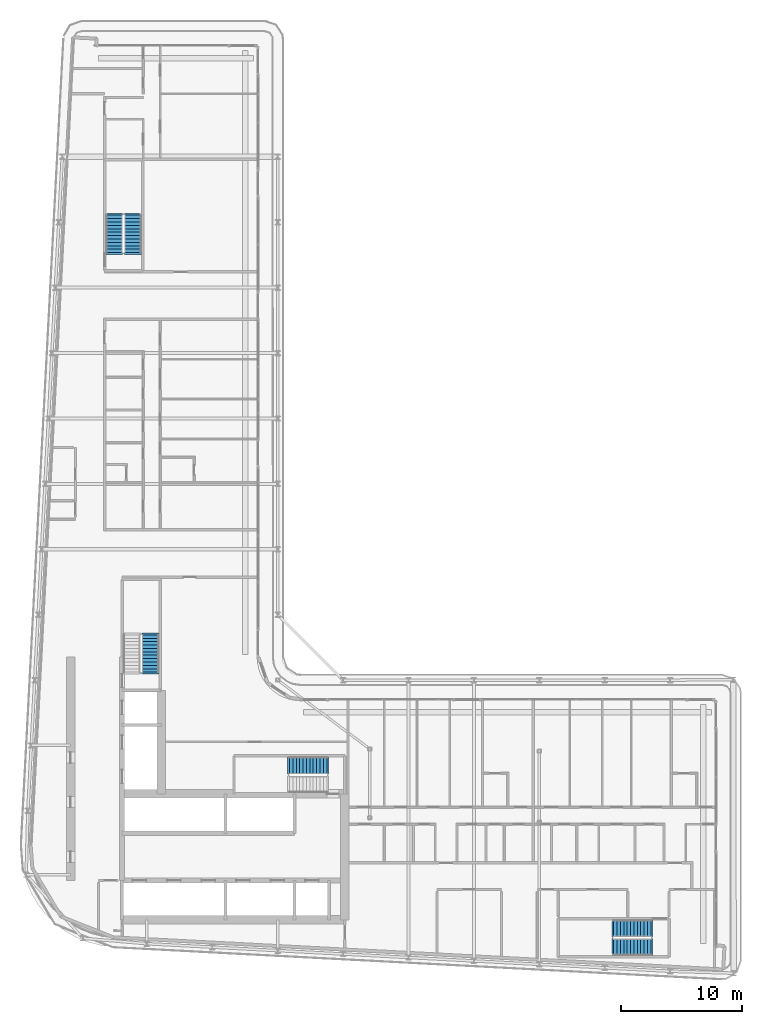
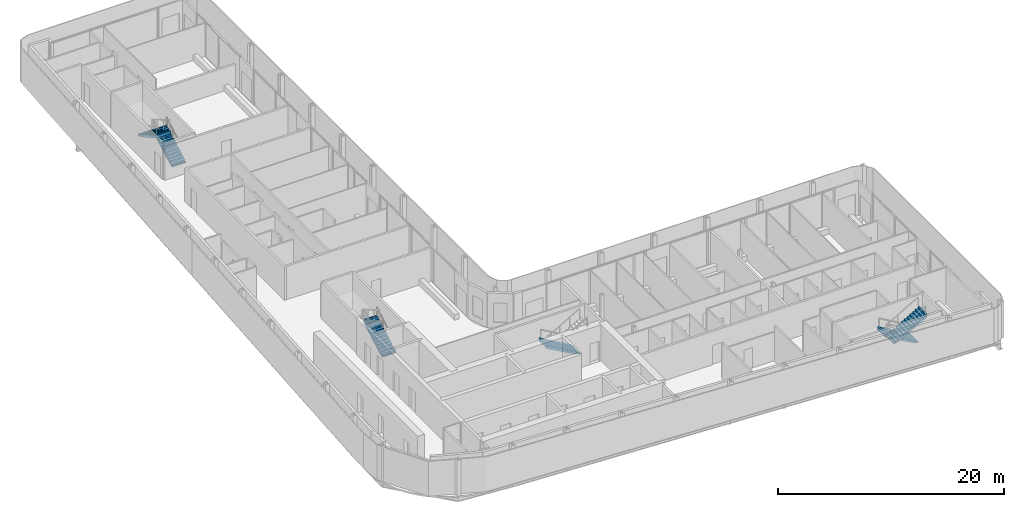
# One storey, part 16 of 23: 6 stair flights, 4 elements without a shape of their own.
"""IFC4 building model written with IfcOpenShell, lengths in metres."""

from ifc_helpers import new_model, si_unit, direction, frame, origin, place, context, subcontext, project, spatial, polyline, outline, extrude, material, layer, layer_set, type_object, element, aggregate, save


model = new_model("IFC4")

# Units and contexts
model_context = context("Model", 3, precision=1e-05, world=origin(), true_north=direction((0.0, 1.0)))
body_context = subcontext(model_context, "Body", "Model", "MODEL_VIEW")
ifc_project = project(units=[si_unit("LENGTHUNIT", "METRE"), si_unit("AREAUNIT", "SQUARE_METRE"), si_unit("VOLUMEUNIT", "CUBIC_METRE"), si_unit("PLANEANGLEUNIT", "RADIAN"), si_unit("MASSUNIT", "GRAM", prefix="KILO")], contexts=[model_context])

# Site, building, storey
site_placement = place(None, origin())
site = spatial("IfcSite", under=ifc_project, at=site_placement, CompositionType="ELEMENT")
building_placement = place(site_placement, origin())
building = spatial("IfcBuilding", under=site, at=building_placement, Name="Kheshtan School and Residences Tower", CompositionType="ELEMENT")
storey_placement = place(building_placement, frame((0.0, 0.0, 239.60009765625)))
storey = spatial("IfcBuildingStorey", under=building, at=storey_placement, Name="L56", CompositionType="ELEMENT", Elevation=239.60009765625)

# Stair, stair flight
ifc_material = material(Name="Concrete C40/50", Category="concrete")
stair_type = type_object("IfcStairType", Name="Exit stair, half-turn", PredefinedType="HALF_TURN_STAIR", material=ifc_material)
stair_1_placement = place(storey_placement, origin())
stair_1 = element("IfcStair", 1, at=stair_1_placement, inside=storey, type_object=stair_type, Name="L56 Protected Exit Stair ST1", PredefinedType="HALF_TURN_STAIR")
ifc_layer = layer(ifc_material, 0.14990234375)
ifc_layer_set = layer_set([ifc_layer], Name="Stair flight 1400 Concrete C40/50")
stair_flight_type = type_object("IfcStairFlightType", Name="Stair flight 1400 Concrete C40/50", PredefinedType="STRAIGHT", material=ifc_layer_set)
stair_flight_1_placement = place(storey_placement, frame((51.64990234375, 38.550048828125, 0.0), z_axis=(0.0, 0.0, 1.0), x_axis=(-1.0, 0.0, 0.0)))
stair_flight_1 = element("IfcStairFlight", 2, at=stair_flight_1_placement, type_object=stair_flight_type, Name="ST1 flight 1", NumberOfRisers=12, NumberOfTreads=11, PredefinedType="STRAIGHT", RiserHeight=0.1625, TreadLength=0.28, context=body_context, shape_type="SweptSolid", body=[
    extrude(outline(polyline([(-0.14990234375, -0.10009765625), (-0.14990234375, 0.0), (0.0, 0.0), (0.0, 0.16259765625), (0.280029296875, 0.16259765625), (0.280029296875, 0.324951171875), (0.56005859375, 0.324951171875), (0.56005859375, 0.487548828125), (0.840087890625, 0.487548828125), (0.840087890625, 0.64990234375), (1.1201171875, 0.64990234375), (1.1201171875, 0.8125), (1.39990234375, 0.8125), (1.39990234375, 0.97509765625), (1.679931640625, 0.97509765625), (1.679931640625, 1.137451171875), (1.9599609375, 1.137451171875), (1.9599609375, 1.300048828125), (2.239990234375, 1.300048828125), (2.239990234375, 1.46240234375), (2.52001953125, 1.46240234375), (2.52001953125, 1.625), (2.800048828125, 1.625), (2.800048828125, 1.78759765625), (3.080078125, 1.78759765625), (3.080078125, 1.949951171875), (3.080078125, 1.969970703125), (3.22998046875, 1.969970703125), (3.22998046875, 1.6142578125), (0.298583984375, 0.0), (-0.14990234375, -0.10009765625)])), frame((0.0, 0.699951171875, 0.0), z_axis=(0.0, -1.0, 0.0), x_axis=(1.0, 0.0, 0.0)), (0.0, 0.0, 1.0), 1.39990234375),
])
aggregate(stair_1, [stair_flight_1])

stair_2_placement = place(storey_placement, origin())
stair_2 = element("IfcStair", 3, at=stair_2_placement, inside=storey, type_object=stair_type, Name="L56 Protected Exit Stair ST2", PredefinedType="HALF_TURN_STAIR")
stair_flight_2_placement = place(storey_placement, frame((37.10009765625, 46.25, 0.0), z_axis=(0.0, 0.0, 1.0), x_axis=(0.0, 1.0, 0.0)))
stair_flight_2 = element("IfcStairFlight", 4, at=stair_flight_2_placement, type_object=stair_flight_type, Name="ST2 flight 1", NumberOfRisers=12, NumberOfTreads=11, PredefinedType="STRAIGHT", RiserHeight=0.1625, TreadLength=0.28, context=body_context, shape_type="SweptSolid", body=[
    extrude(outline(polyline([(-0.14990234375, -0.10009765625), (-0.14990234375, 0.0), (0.0, 0.0), (0.0, 0.16259765625), (0.280029296875, 0.16259765625), (0.280029296875, 0.324951171875), (0.56005859375, 0.324951171875), (0.56005859375, 0.487548828125), (0.840087890625, 0.487548828125), (0.840087890625, 0.64990234375), (1.1201171875, 0.64990234375), (1.1201171875, 0.8125), (1.39990234375, 0.8125), (1.39990234375, 0.97509765625), (1.679931640625, 0.97509765625), (1.679931640625, 1.137451171875), (1.9599609375, 1.137451171875), (1.9599609375, 1.300048828125), (2.239990234375, 1.300048828125), (2.239990234375, 1.46240234375), (2.52001953125, 1.46240234375), (2.52001953125, 1.625), (2.800048828125, 1.625), (2.800048828125, 1.78759765625), (3.080078125, 1.78759765625), (3.080078125, 1.949951171875), (3.080078125, 1.969970703125), (3.22998046875, 1.969970703125), (3.22998046875, 1.6142578125), (0.298583984375, 0.0), (-0.14990234375, -0.10009765625)])), frame((0.0, 0.699951171875, 0.0), z_axis=(0.0, -1.0, 0.0), x_axis=(1.0, 0.0, 0.0)), (0.0, 0.0, 1.0), 1.39990234375),
])
aggregate(stair_2, [stair_flight_2])

# Stair, stair flights
stair_3_placement = place(storey_placement, origin())
stair_3 = element("IfcStair", 5, at=stair_3_placement, inside=storey, type_object=stair_type, Name="L56 Protected Exit Stair ST3", PredefinedType="HALF_TURN_STAIR")
stair_flight_3_placement = place(storey_placement, frame((35.64990234375, 80.89990234375, 0.0), z_axis=(0.0, 0.0, 1.0), x_axis=(0.0, 1.0, 0.0)))
stair_flight_3 = element("IfcStairFlight", 6, at=stair_flight_3_placement, type_object=stair_flight_type, Name="ST3 flight 1", NumberOfRisers=12, NumberOfTreads=11, PredefinedType="STRAIGHT", RiserHeight=0.1625, TreadLength=0.28, context=body_context, shape_type="SweptSolid", body=[
    extrude(outline(polyline([(-0.14990234375, -0.10009765625), (-0.14990234375, 0.0), (0.0, 0.0), (0.0, 0.16259765625), (0.280029296875, 0.16259765625), (0.280029296875, 0.324951171875), (0.56005859375, 0.324951171875), (0.56005859375, 0.487548828125), (0.840087890625, 0.487548828125), (0.840087890625, 0.64990234375), (1.1201171875, 0.64990234375), (1.1201171875, 0.8125), (1.39990234375, 0.8125), (1.39990234375, 0.97509765625), (1.679931640625, 0.97509765625), (1.679931640625, 1.137451171875), (1.9599609375, 1.137451171875), (1.9599609375, 1.300048828125), (2.239990234375, 1.300048828125), (2.239990234375, 1.46240234375), (2.52001953125, 1.46240234375), (2.52001953125, 1.625), (2.800048828125, 1.625), (2.800048828125, 1.78759765625), (3.080078125, 1.78759765625), (3.080078125, 1.949951171875), (3.080078125, 1.969970703125), (3.22998046875, 1.969970703125), (3.22998046875, 1.6142578125), (0.298583984375, 0.0), (-0.14990234375, -0.10009765625)])), frame((0.0, 0.699951171875, 0.0), z_axis=(0.0, -1.0, 0.0), x_axis=(1.0, 0.0, 0.0)), (0.0, 0.0, 1.0), 1.39990234375),
])
stair_flight_4_placement = place(storey_placement, frame((34.10009765625, 83.97998046875, 1.949951171875), z_axis=(0.0, 0.0, 1.0), x_axis=(0.0, -1.0, 0.0)))
stair_flight_4 = element("IfcStairFlight", 7, at=stair_flight_4_placement, type_object=stair_flight_type, Name="ST3 flight 2", NumberOfRisers=12, NumberOfTreads=11, PredefinedType="STRAIGHT", RiserHeight=0.1625, TreadLength=0.28, context=body_context, shape_type="SweptSolid", body=[
    extrude(outline(polyline([(-0.14990234375, -0.10009765625), (-0.14990234375, 0.0), (0.0, 0.0), (0.0, 0.16259765625), (0.280029296875, 0.16259765625), (0.280029296875, 0.324951171875), (0.56005859375, 0.324951171875), (0.56005859375, 0.487548828125), (0.840087890625, 0.487548828125), (0.840087890625, 0.64990234375), (1.1201171875, 0.64990234375), (1.1201171875, 0.8125), (1.39990234375, 0.8125), (1.39990234375, 0.97509765625), (1.679931640625, 0.97509765625), (1.679931640625, 1.137451171875), (1.9599609375, 1.137451171875), (1.9599609375, 1.300048828125), (2.239990234375, 1.300048828125), (2.239990234375, 1.46240234375), (2.52001953125, 1.46240234375), (2.52001953125, 1.625), (2.800048828125, 1.625), (2.800048828125, 1.78759765625), (3.080078125, 1.78759765625), (3.080078125, 1.949951171875), (3.080078125, 1.969970703125), (3.22998046875, 1.969970703125), (3.22998046875, 1.6142578125), (0.298583984375, 0.0), (-0.14990234375, -0.10009765625)])), frame((0.0, 0.699951171875, 0.0), z_axis=(0.0, -1.0, 0.0), x_axis=(1.0, 0.0, 0.0)), (0.0, 0.0, 1.0), 1.39990234375),
])
aggregate(stair_3, [stair_flight_3, stair_flight_4])

stair_4_placement = place(storey_placement, origin())
stair_4 = element("IfcStair", 8, at=stair_4_placement, inside=storey, type_object=stair_type, Name="L56 Protected Exit Stair ST5", PredefinedType="HALF_TURN_STAIR")
stair_flight_5_placement = place(storey_placement, frame((78.409912109375, 25.10009765625, 0.0), z_axis=(0.0, 0.0, 1.0), x_axis=(-1.0, 0.0, 0.0)))
stair_flight_5 = element("IfcStairFlight", 9, at=stair_flight_5_placement, type_object=stair_flight_type, Name="ST5 flight 1", NumberOfRisers=12, NumberOfTreads=11, PredefinedType="STRAIGHT", RiserHeight=0.1625, TreadLength=0.28, context=body_context, shape_type="SweptSolid", body=[
    extrude(outline(polyline([(-0.14990234375, -0.10009765625), (-0.14990234375, 0.0), (0.0, 0.0), (0.0, 0.16259765625), (0.280029296875, 0.16259765625), (0.280029296875, 0.324951171875), (0.56005859375, 0.324951171875), (0.56005859375, 0.487548828125), (0.840087890625, 0.487548828125), (0.840087890625, 0.64990234375), (1.1201171875, 0.64990234375), (1.1201171875, 0.8125), (1.39990234375, 0.8125), (1.39990234375, 0.97509765625), (1.679931640625, 0.97509765625), (1.679931640625, 1.137451171875), (1.9599609375, 1.137451171875), (1.9599609375, 1.300048828125), (2.239990234375, 1.300048828125), (2.239990234375, 1.46240234375), (2.52001953125, 1.46240234375), (2.52001953125, 1.625), (2.800048828125, 1.625), (2.800048828125, 1.78759765625), (3.080078125, 1.78759765625), (3.080078125, 1.949951171875), (3.080078125, 1.969970703125), (3.22998046875, 1.969970703125), (3.22998046875, 1.6142578125), (0.298583984375, 0.0), (-0.14990234375, -0.10009765625)])), frame((0.0, 0.699951171875, 0.0), z_axis=(0.0, -1.0, 0.0), x_axis=(1.0, 0.0, 0.0)), (0.0, 0.0, 1.0), 1.39990234375),
])
stair_flight_6_placement = place(storey_placement, frame((75.330078125, 23.550048828125, 1.949951171875), z_axis=(0.0, 0.0, 1.0), x_axis=(1.0, 0.0, 0.0)))
stair_flight_6 = element("IfcStairFlight", 10, at=stair_flight_6_placement, type_object=stair_flight_type, Name="ST5 flight 2", NumberOfRisers=12, NumberOfTreads=11, PredefinedType="STRAIGHT", RiserHeight=0.1625, TreadLength=0.28, context=body_context, shape_type="SweptSolid", body=[
    extrude(outline(polyline([(-0.14990234375, -0.10009765625), (-0.14990234375, 0.0), (0.0, 0.0), (0.0, 0.16259765625), (0.280029296875, 0.16259765625), (0.280029296875, 0.324951171875), (0.56005859375, 0.324951171875), (0.56005859375, 0.487548828125), (0.840087890625, 0.487548828125), (0.840087890625, 0.64990234375), (1.1201171875, 0.64990234375), (1.1201171875, 0.8125), (1.39990234375, 0.8125), (1.39990234375, 0.97509765625), (1.679931640625, 0.97509765625), (1.679931640625, 1.137451171875), (1.9599609375, 1.137451171875), (1.9599609375, 1.300048828125), (2.239990234375, 1.300048828125), (2.239990234375, 1.46240234375), (2.52001953125, 1.46240234375), (2.52001953125, 1.625), (2.800048828125, 1.625), (2.800048828125, 1.78759765625), (3.080078125, 1.78759765625), (3.080078125, 1.949951171875), (3.080078125, 1.969970703125), (3.22998046875, 1.969970703125), (3.22998046875, 1.6142578125), (0.298583984375, 0.0), (-0.14990234375, -0.10009765625)])), frame((0.0, 0.699951171875, 0.0), z_axis=(0.0, -1.0, 0.0), x_axis=(1.0, 0.0, 0.0)), (0.0, 0.0, 1.0), 1.39990234375),
])
aggregate(stair_4, [stair_flight_5, stair_flight_6])

save(model, "model.ifc")
